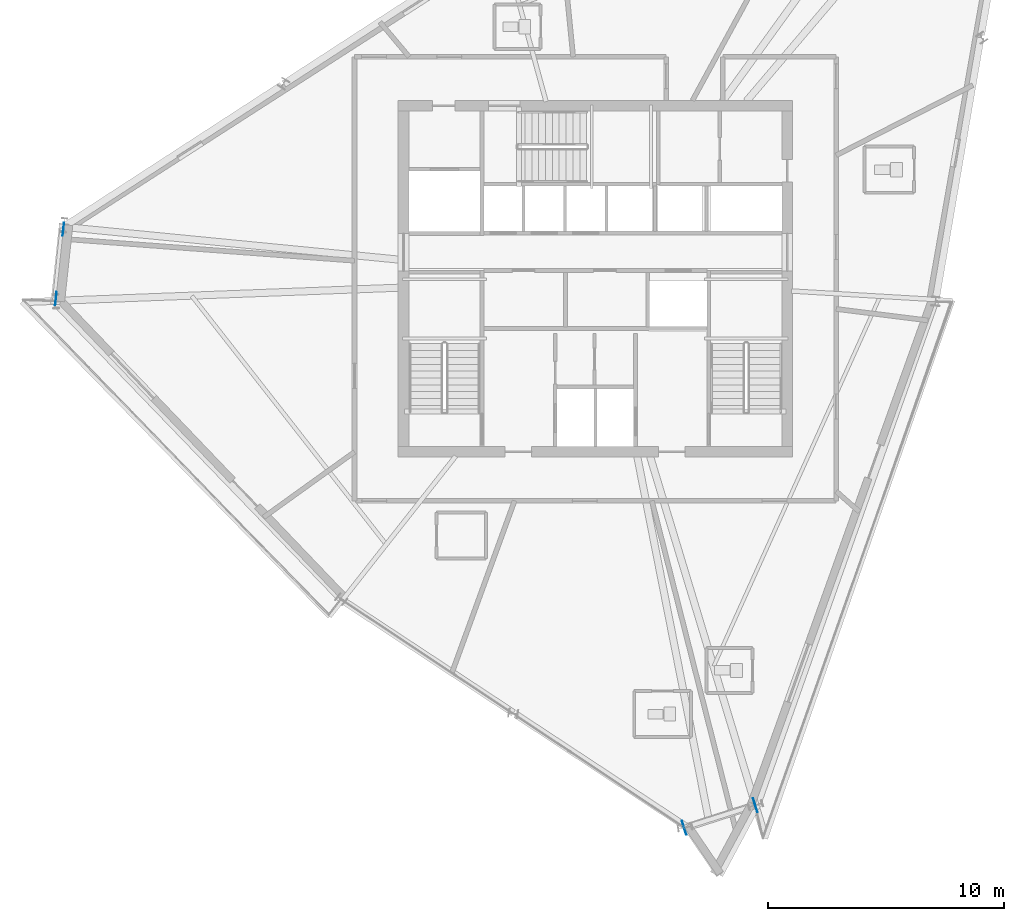
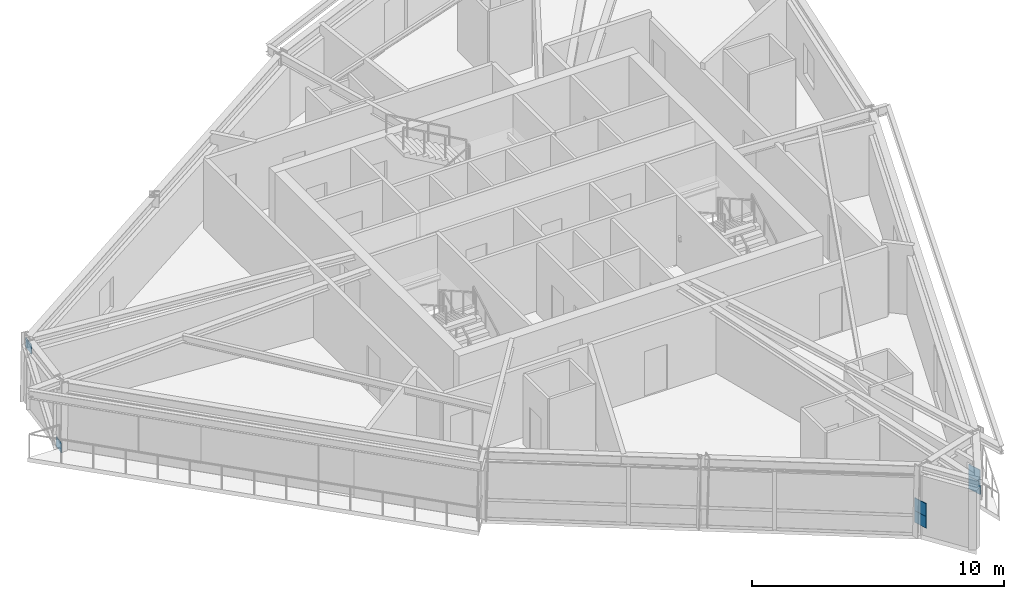
# One storey, part 6 of 15: 6 plates.
"""IFC4 building model written with IfcOpenShell, lengths in metres."""

from ifc_helpers import new_model, si_unit, direction, frame, origin, origin_2d, place, context, subcontext, project, spatial, rectangle, extrude, source, transform, mapped, material, type_object, element, save


model = new_model("IFC4")

# Units and contexts
model_context = context("Model", 3, precision=1e-05, world=origin(), true_north=direction((0.0, 1.0)))
body_context = subcontext(model_context, "Body", "Model", "MODEL_VIEW")
ifc_project = project(units=[si_unit("LENGTHUNIT", "METRE"), si_unit("AREAUNIT", "SQUARE_METRE"), si_unit("VOLUMEUNIT", "CUBIC_METRE"), si_unit("PLANEANGLEUNIT", "RADIAN"), si_unit("MASSUNIT", "GRAM", prefix="KILO")], contexts=[model_context])

# Site, building, storey
site_placement = place(None, origin())
site = spatial("IfcSite", under=ifc_project, at=site_placement, CompositionType="ELEMENT")
building_placement = place(site_placement, origin())
building = spatial("IfcBuilding", under=site, at=building_placement, Name="Olszyna Solenne Hotel", CompositionType="ELEMENT")
storey_placement = place(building_placement, frame((0.0, 0.0, 245.300048828125)))
storey = spatial("IfcBuildingStorey", under=building, at=storey_placement, Name="L65", CompositionType="ELEMENT", Elevation=245.300048828125)

# Plates
ifc_material_1 = material(Name="Steel S460M", Category="steel")
plate_type_1 = type_object("IfcPlateType", Name="GP-CAP2", PredefinedType="USERDEFINED", material=ifc_material_1)
shared_shape_1 = source(origin(), body_context, "Body", "SweptSolid", [
    extrude(rectangle(XDim=0.030029296875, YDim=0.6201171875, at=origin_2d()), origin(), (0.0, 0.0, 1.0), 0.6201171875),
])
for number, where, z_axis, x_axis, name in (
    (1, (41.75927734375, 3.353759765625, 1.039794921875), (0.0, 0.0, 1.0), (0.953190667793, 0.30236989075, 0.0), "Hollow section end-cap plate GP-CAP2 CP-PR-M-L65-PR1-1"),
    (2, (44.77294921875, 4.309814453125, 1.039794921875), (0.0, 0.0, 1.0), (0.953190667793, 0.30236989075, 0.0), "Hollow section end-cap plate GP-CAP2 CP-PR-M-L65-PR1-2"),
    (3, (41.75927734375, 3.353759765625, 0.469970703125), (0.0, 0.0, 1.0), (0.953190667793, 0.30236989075, 0.0), "Hollow section end-cap plate GP-CAP2 CP-PR-M-L65-PR2-1"),
    (4, (44.77294921875, 4.309814453125, 0.469970703125), (0.0, 0.0, 1.0), (0.953190667793, 0.30236989075, 0.0), "Hollow section end-cap plate GP-CAP2 CP-PR-M-L65-PR2-2"),
):
    element("IfcPlate", number, at=place(storey_placement, frame(where, z_axis=z_axis, x_axis=x_axis)), inside=storey, type_object=plate_type_1, Name=name, ObjectType="GUSSET_PLATE", PredefinedType="USERDEFINED", context=body_context, shape_type="MappedRepresentation", body=[
        mapped(shared_shape_1, transform((0.0, 0.0, 0.0), x_axis=(1.0, 0.0, 0.0), y_axis=(0.0, 1.0, 0.0), z_axis=(0.0, 0.0, 1.0), scale=1.0)),
    ])
ifc_material_2 = material(Name="Steel S355J2", Category="steel")
plate_type_2 = type_object("IfcPlateType", Name="GP-ND2", PredefinedType="USERDEFINED", material=ifc_material_2)
shared_shape_2 = source(origin(), body_context, "Body", "SweptSolid", [
    extrude(rectangle(XDim=0.56005859375, YDim=0.02001953125, at=origin_2d()), origin(), (0.0, 0.0, 1.0), 0.47998046875),
])
for number, where, z_axis, x_axis, name in (
    (5, (15.155517578125, 25.760986328125, -0.1318359375), (0.0, 0.0, 1.0), (0.106437614427, 0.994319382409, 0.0), "Brace end connection gusset plate GP-ND2 EP-BR-L65-2-1"),
    (6, (15.4697265625, 28.69677734375, 2.766845703125), (0.0, 0.0, 1.0), (0.106437614427, 0.994319382409, 0.0), "Brace end connection gusset plate GP-ND2 EP-BR-L65-2-2"),
):
    element("IfcPlate", number, at=place(storey_placement, frame(where, z_axis=z_axis, x_axis=x_axis)), inside=storey, type_object=plate_type_2, Name=name, ObjectType="GUSSET_PLATE", PredefinedType="USERDEFINED", context=body_context, shape_type="MappedRepresentation", body=[
        mapped(shared_shape_2, transform((0.0, 0.0, 0.0), x_axis=(1.0, 0.0, 0.0), y_axis=(0.0, 1.0, 0.0), z_axis=(0.0, 0.0, 1.0), scale=1.0)),
    ])

save(model, "model.ifc")
